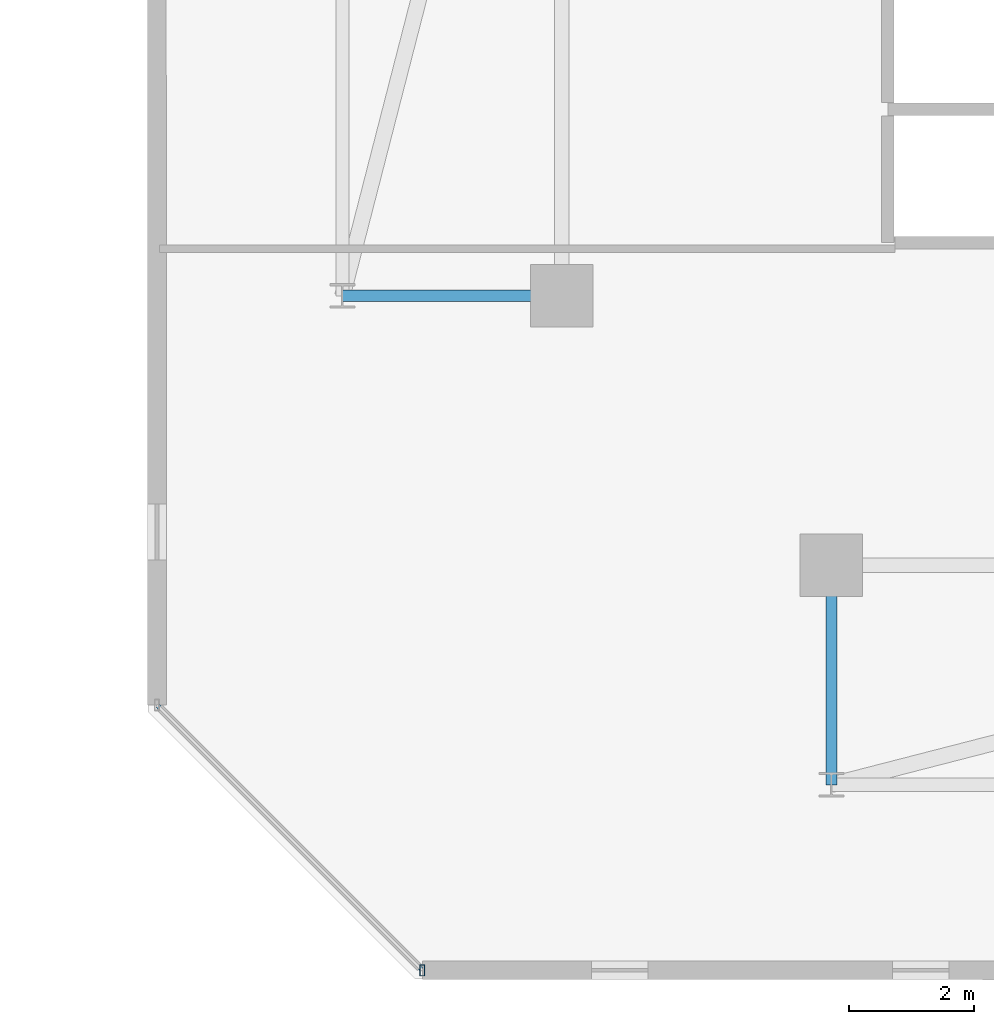
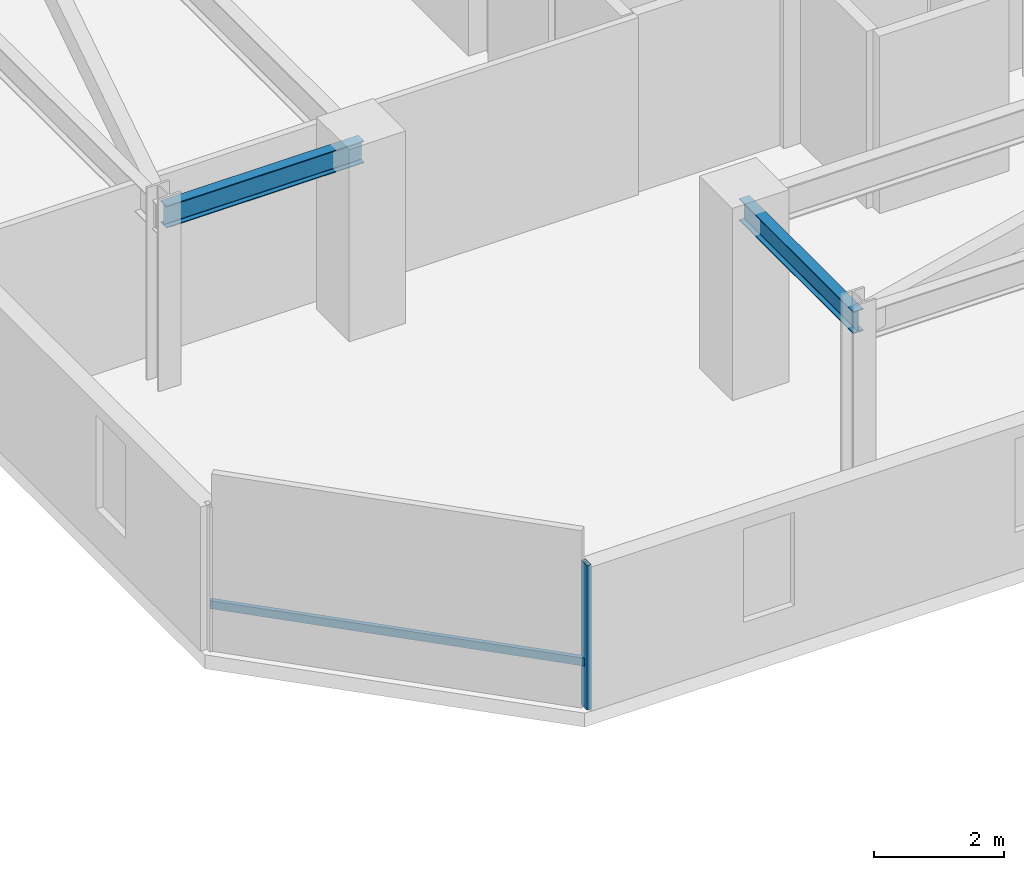
# One storey, part 12 of 32: 2 beams, 2 members, 1 element without a shape of its own.
"""IFC4 building model written with IfcOpenShell, lengths in metres."""

from ifc_helpers import new_model, si_unit, direction, frame, origin, origin_2d, place, context, subcontext, project, spatial, hollow_rectangle, i_section, extrude, material, material_profile, profile_set, type_object, element, aggregate, save


model = new_model("IFC4")

# Units and contexts
model_context = context("Model", 3, precision=1e-05, world=origin(), true_north=direction((0.0, 1.0)))
body_context = subcontext(model_context, "Body", "Model", "MODEL_VIEW")
ifc_project = project(units=[si_unit("LENGTHUNIT", "METRE"), si_unit("AREAUNIT", "SQUARE_METRE"), si_unit("VOLUMEUNIT", "CUBIC_METRE"), si_unit("PLANEANGLEUNIT", "RADIAN"), si_unit("MASSUNIT", "GRAM", prefix="KILO")], contexts=[model_context])

# Site, building, storey
site_placement = place(None, origin())
site = spatial("IfcSite", under=ifc_project, at=site_placement, CompositionType="ELEMENT")
building_placement = place(site_placement, origin())
building = spatial("IfcBuilding", under=site, at=building_placement, Name="Thornwick Lancets Civic Towers", CompositionType="ELEMENT")
storey_placement = place(building_placement, frame((0.0, 0.0, 200.10009765625)))
storey = spatial("IfcBuildingStorey", under=building, at=storey_placement, Name="L53", CompositionType="ELEMENT", Elevation=200.10009765625)

# Beams
ifc_material_1 = material(Name="Steel S355JR", Category="steel")
ifc_material_profile_1 = material_profile(ifc_material_1, i_section(OverallWidth=0.179443359375, OverallDepth=0.412841796875, WebThickness=0.009521484375, FlangeThickness=0.01611328125, FilletRadius=0.01025390625, at=origin_2d()), Name="UKB 406x178x74")
ifc_profile_set_1 = profile_set([ifc_material_profile_1], Name="Steel S355JR")
beam_type = type_object("IfcBeamType", Name="BM_JOIST_406_74", PredefinedType="JOIST", material=ifc_profile_set_1)
for number, where, z_axis, x_axis, name in (
    (1, (71.199951171875, 14.0, 3.133544921875), (-1.0, 0.0, 0.0), (0.0, -1.0, 0.0), "BM-RAD-L53-B07"),
    (2, (75.5, 9.699951171875, 3.133544921875), (0.0, -1.0, 0.0), (1.0, 0.0, 0.0), "BM-RAD-L53-B12"),
):
    element("IfcBeam", number, at=place(storey_placement, frame(where, z_axis=z_axis, x_axis=x_axis)), inside=storey, type_object=beam_type, Name=name, PredefinedType="JOIST", context=body_context, shape_type="SweptSolid", body=[
        extrude(i_section(OverallWidth=0.179443359375, OverallDepth=0.412841796875, WebThickness=0.009521484375, FlangeThickness=0.01611328125, FilletRadius=0.01025390625, at=origin_2d()), origin(), (0.0, 0.0, 1.0), 3.5),
    ])

# Curtain wall, members
ifc_material_2 = material(Name="High-zone chamfered-corner unitised glass curtain wall", Category="glass")
curtain_wall_type = type_object("IfcCurtainWallType", Name="CW_SYS_05", PredefinedType="NOTDEFINED", material=ifc_material_2)
curtain_wall_placement = place(storey_placement, origin())
curtain_wall = element("IfcCurtainWall", 3, at=curtain_wall_placement, inside=storey, type_object=curtain_wall_type, Name="L53 Curtain Wall CW-L53-B-E7", PredefinedType="NOTDEFINED")
ifc_material_3 = material(Name="Thermally broken bronze aluminium S355", Category="steel")
ifc_material_profile_2 = material_profile(ifc_material_3, hollow_rectangle(XDim=0.074951171875, YDim=0.179931640625, WallThickness=0.006103515625, at=origin_2d()), Name="RHS 180x75x6")
ifc_profile_set_2 = profile_set([ifc_material_profile_2], Name="Thermally broken bronze aluminium S355")
member_type_1 = type_object("IfcMemberType", Name="CW_MUL_180", PredefinedType="MULLION", material=ifc_profile_set_2)
member_1_placement = place(storey_placement, frame((68.97412109375, 3.24072265625, 0.0), z_axis=(0.0, 0.0, 1.0), x_axis=(1.0, 0.0, 0.0)))
member_1 = element("IfcMember", 4, at=member_1_placement, type_object=member_type_1, Name="CW-L53-B-E7 Mullion 1", PredefinedType="MULLION", context=body_context, shape_type="SweptSolid", body=[
    extrude(hollow_rectangle(XDim=0.074951171875, YDim=0.179931640625, WallThickness=0.006103515625, at=origin_2d()), origin(), (0.0, 0.0, 1.0), 2.699951171875),
])
ifc_material_profile_3 = material_profile(ifc_material_3, hollow_rectangle(XDim=0.074951171875, YDim=0.14990234375, WallThickness=0.0048828125, at=origin_2d()), Name="RHS 150x75x5")
ifc_profile_set_3 = profile_set([ifc_material_profile_3], Name="Thermally broken bronze aluminium S355")
member_type_2 = type_object("IfcMemberType", Name="CW_TRN_150", PredefinedType="USERDEFINED", material=ifc_profile_set_3)
member_2_placement = place(storey_placement, frame((64.7548828125, 7.4599609375, 0.849853515625), z_axis=(0.707106781187, -0.707106781187, 0.0), x_axis=(0.707106781187, 0.707106781187, 0.0)))
member_2 = element("IfcMember", 5, at=member_2_placement, type_object=member_type_2, Name="CW-L53-B-E7 Transom 0", ObjectType="TRANSOM", PredefinedType="USERDEFINED", context=body_context, shape_type="SweptSolid", body=[
    extrude(hollow_rectangle(XDim=0.074951171875, YDim=0.14990234375, WallThickness=0.0048828125, at=origin_2d()), origin(), (0.0, 0.0, 1.0), 5.94677734375),
])
aggregate(curtain_wall, [member_1, member_2])

save(model, "model.ifc")
